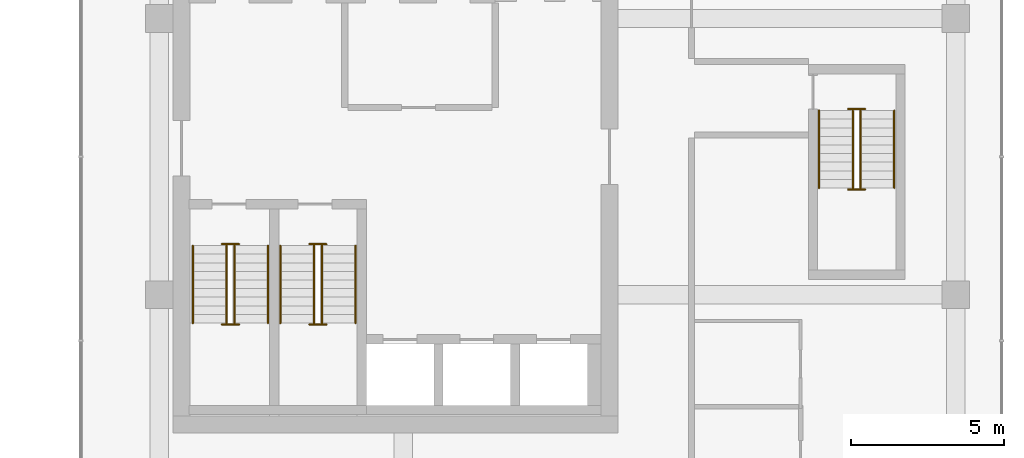
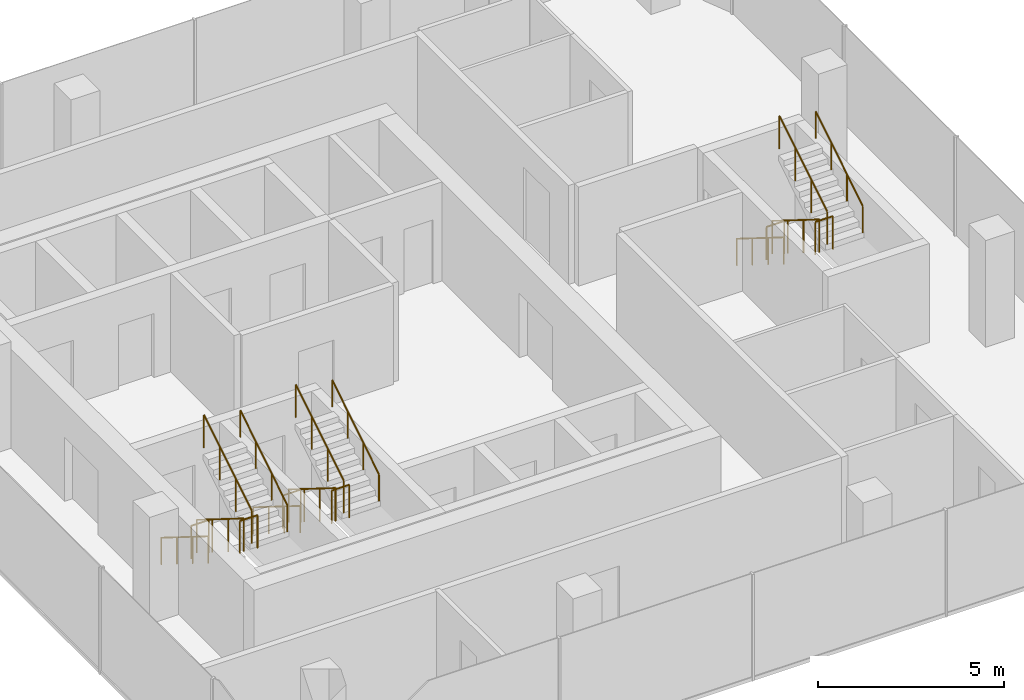
# One storey, part 23 of 23: 18 railings.
"""IFC4 building model written with IfcOpenShell, lengths in metres."""

from ifc_helpers import new_model, si_unit, direction, frame, origin, origin_2d, place, context, subcontext, project, spatial, circle, extrude, material, type_object, element, save


model = new_model("IFC4")

# Units and contexts
model_context = context("Model", 3, precision=1e-05, world=origin(), true_north=direction((0.0, 1.0)))
body_context = subcontext(model_context, "Body", "Model", "MODEL_VIEW")
ifc_project = project(units=[si_unit("LENGTHUNIT", "METRE"), si_unit("AREAUNIT", "SQUARE_METRE"), si_unit("VOLUMEUNIT", "CUBIC_METRE"), si_unit("PLANEANGLEUNIT", "RADIAN"), si_unit("MASSUNIT", "GRAM", prefix="KILO")], contexts=[model_context])

# Site, building, storey
site_placement = place(None, origin())
site = spatial("IfcSite", under=ifc_project, at=site_placement, CompositionType="ELEMENT")
building_placement = place(site_placement, origin())
building = spatial("IfcBuilding", under=site, at=building_placement, Name="Plateau Cross Towers", CompositionType="ELEMENT")
storey_placement = place(building_placement, frame((0.0, 0.0, 33.800048828125)))
storey = spatial("IfcBuildingStorey", under=building, at=storey_placement, Name="L07", CompositionType="ELEMENT", Elevation=33.800048828125)

# Railings
ifc_material_1 = material(Name="Stainless steel and toughened glass", Category="steel")
railing_type_1 = type_object("IfcRailingType", Name="RL-GUARD-1100", PredefinedType="GUARDRAIL", material=ifc_material_1)
railing_1_placement = place(storey_placement, frame((76.75, 6.10009765625, 0.175048828125)))
element("IfcRailing", 1, at=railing_1_placement, inside=storey, type_object=railing_type_1, Name="L07 SB-1 stair guard 1", PredefinedType="GUARDRAIL", context=body_context, shape_type="SweptSolid", body=[
    extrude(circle(Radius=0.02392578125, at=origin_2d()), frame((0.0, 0.0, 1.076171875), z_axis=(0.0, -0.848007534815, 0.529984170421), x_axis=(1.0, 0.0, 0.0)), (0.0, 0.0, 1.0), 2.9716796875),
    extrude(circle(Radius=0.02099609375, at=origin_2d()), origin(), (0.0, 0.0, 1.0), 1.052001953125),
    extrude(circle(Radius=0.02099609375, at=origin_2d()), frame((0.0, -0.840087890625, 0.52490234375)), (0.0, 0.0, 1.0), 1.052001953125),
    extrude(circle(Radius=0.02099609375, at=origin_2d()), frame((0.0, -1.679931640625, 1.050048828125)), (0.0, 0.0, 1.0), 1.052001953125),
    extrude(circle(Radius=0.02099609375, at=origin_2d()), frame((0.0, -2.52001953125, 1.574951171875)), (0.0, 0.0, 1.0), 1.052001953125),
])
railing_2_placement = place(storey_placement, frame((76.60009765625, 3.530029296875, 1.75)))
element("IfcRailing", 2, at=railing_2_placement, inside=storey, type_object=railing_type_1, Name="L07 SB-1 stair guard 2", PredefinedType="GUARDRAIL", context=body_context, shape_type="SweptSolid", body=[
    extrude(circle(Radius=0.02392578125, at=origin_2d()), frame((0.0, 0.0, 1.076171875), z_axis=(1.0, 0.0, 0.0), x_axis=(0.0, 1.0, 0.0)), (0.0, 0.0, 1.0), 0.5498046875),
    extrude(circle(Radius=0.02099609375, at=origin_2d()), origin(), (0.0, 0.0, 1.0), 1.052001953125),
    extrude(circle(Radius=0.02099609375, at=origin_2d()), frame((0.5498046875, 0.0, 0.0)), (0.0, 0.0, 1.0), 1.052001953125),
])
railing_3_placement = place(storey_placement, frame((77.0, 3.580078125, 1.925048828125)))
element("IfcRailing", 3, at=railing_3_placement, inside=storey, type_object=railing_type_1, Name="L07 SB-1 stair guard 3", PredefinedType="GUARDRAIL", context=body_context, shape_type="SweptSolid", body=[
    extrude(circle(Radius=0.02392578125, at=origin_2d()), frame((0.0, 0.0, 1.076171875), z_axis=(0.0, 0.852616386126, 0.522537365276), x_axis=(-1.0, 0.0, 0.0)), (0.0, 0.0, 1.0), 3.01416015625),
    extrude(circle(Radius=0.02099609375, at=origin_2d()), origin(), (0.0, 0.0, 1.0), 1.052001953125),
    extrude(circle(Radius=0.02099609375, at=origin_2d()), frame((0.0, 0.856689453125, 0.52490234375)), (0.0, 0.0, 1.0), 1.052001953125),
    extrude(circle(Radius=0.02099609375, at=origin_2d()), frame((0.0, 1.713134765625, 1.050048828125)), (0.0, 0.0, 1.0), 1.052001953125),
    extrude(circle(Radius=0.02099609375, at=origin_2d()), frame((0.0, 2.56982421875, 1.574951171875)), (0.0, 0.0, 1.0), 1.052001953125),
])
railing_4_placement = place(storey_placement, frame((76.60009765625, 6.14990234375, 0.0)))
element("IfcRailing", 4, at=railing_4_placement, inside=storey, type_object=railing_type_1, Name="L07 SB-1 stair guard 4", PredefinedType="GUARDRAIL", context=body_context, shape_type="SweptSolid", body=[
    extrude(circle(Radius=0.02392578125, at=origin_2d()), frame((0.0, 0.0, 1.076171875), z_axis=(1.0, 0.0, 0.0), x_axis=(0.0, 1.0, 0.0)), (0.0, 0.0, 1.0), 0.5498046875),
    extrude(circle(Radius=0.02099609375, at=origin_2d()), origin(), (0.0, 0.0, 1.0), 1.052001953125),
    extrude(circle(Radius=0.02099609375, at=origin_2d()), frame((0.5498046875, 0.0, 0.0)), (0.0, 0.0, 1.0), 1.052001953125),
])
railing_5_placement = place(storey_placement, frame((79.60009765625, 6.10009765625, 0.175048828125)))
element("IfcRailing", 5, at=railing_5_placement, inside=storey, type_object=railing_type_1, Name="L07 SB-2 stair guard 1", PredefinedType="GUARDRAIL", context=body_context, shape_type="SweptSolid", body=[
    extrude(circle(Radius=0.02392578125, at=origin_2d()), frame((0.0, 0.0, 1.076171875), z_axis=(0.0, -0.848007534815, 0.529984170421), x_axis=(1.0, 0.0, 0.0)), (0.0, 0.0, 1.0), 2.9716796875),
    extrude(circle(Radius=0.02099609375, at=origin_2d()), origin(), (0.0, 0.0, 1.0), 1.052001953125),
    extrude(circle(Radius=0.02099609375, at=origin_2d()), frame((0.0, -0.840087890625, 0.52490234375)), (0.0, 0.0, 1.0), 1.052001953125),
    extrude(circle(Radius=0.02099609375, at=origin_2d()), frame((0.0, -1.679931640625, 1.050048828125)), (0.0, 0.0, 1.0), 1.052001953125),
    extrude(circle(Radius=0.02099609375, at=origin_2d()), frame((0.0, -2.52001953125, 1.574951171875)), (0.0, 0.0, 1.0), 1.052001953125),
])
railing_6_placement = place(storey_placement, frame((79.449951171875, 3.530029296875, 1.75)))
element("IfcRailing", 6, at=railing_6_placement, inside=storey, type_object=railing_type_1, Name="L07 SB-2 stair guard 2", PredefinedType="GUARDRAIL", context=body_context, shape_type="SweptSolid", body=[
    extrude(circle(Radius=0.02392578125, at=origin_2d()), frame((0.0, 0.0, 1.076171875), z_axis=(1.0, 0.0, 0.0), x_axis=(0.0, 1.0, 0.0)), (0.0, 0.0, 1.0), 0.550048828125),
    extrude(circle(Radius=0.02099609375, at=origin_2d()), origin(), (0.0, 0.0, 1.0), 1.052001953125),
    extrude(circle(Radius=0.02099609375, at=origin_2d()), frame((0.550048828125, 0.0, 0.0)), (0.0, 0.0, 1.0), 1.052001953125),
])
railing_7_placement = place(storey_placement, frame((79.85009765625, 3.580078125, 1.925048828125)))
element("IfcRailing", 7, at=railing_7_placement, inside=storey, type_object=railing_type_1, Name="L07 SB-2 stair guard 3", PredefinedType="GUARDRAIL", context=body_context, shape_type="SweptSolid", body=[
    extrude(circle(Radius=0.02392578125, at=origin_2d()), frame((0.0, 0.0, 1.076171875), z_axis=(0.0, 0.852616386126, 0.522537365276), x_axis=(-1.0, 0.0, 0.0)), (0.0, 0.0, 1.0), 3.01416015625),
    extrude(circle(Radius=0.02099609375, at=origin_2d()), origin(), (0.0, 0.0, 1.0), 1.052001953125),
    extrude(circle(Radius=0.02099609375, at=origin_2d()), frame((0.0, 0.856689453125, 0.52490234375)), (0.0, 0.0, 1.0), 1.052001953125),
    extrude(circle(Radius=0.02099609375, at=origin_2d()), frame((0.0, 1.713134765625, 1.050048828125)), (0.0, 0.0, 1.0), 1.052001953125),
    extrude(circle(Radius=0.02099609375, at=origin_2d()), frame((0.0, 2.56982421875, 1.574951171875)), (0.0, 0.0, 1.0), 1.052001953125),
])
railing_8_placement = place(storey_placement, frame((79.449951171875, 6.14990234375, 0.0)))
element("IfcRailing", 8, at=railing_8_placement, inside=storey, type_object=railing_type_1, Name="L07 SB-2 stair guard 4", PredefinedType="GUARDRAIL", context=body_context, shape_type="SweptSolid", body=[
    extrude(circle(Radius=0.02392578125, at=origin_2d()), frame((0.0, 0.0, 1.076171875), z_axis=(1.0, 0.0, 0.0), x_axis=(0.0, 1.0, 0.0)), (0.0, 0.0, 1.0), 0.550048828125),
    extrude(circle(Radius=0.02099609375, at=origin_2d()), origin(), (0.0, 0.0, 1.0), 1.052001953125),
    extrude(circle(Radius=0.02099609375, at=origin_2d()), frame((0.550048828125, 0.0, 0.0)), (0.0, 0.0, 1.0), 1.052001953125),
])
railing_9_placement = place(storey_placement, frame((97.14990234375, 10.5, 0.175048828125)))
element("IfcRailing", 9, at=railing_9_placement, inside=storey, type_object=railing_type_1, Name="L07 SB-3 stair guard 1", PredefinedType="GUARDRAIL", context=body_context, shape_type="SweptSolid", body=[
    extrude(circle(Radius=0.02392578125, at=origin_2d()), frame((0.0, 0.0, 1.076171875), z_axis=(0.0, -0.848007534815, 0.529984170421), x_axis=(1.0, 0.0, 0.0)), (0.0, 0.0, 1.0), 2.9716796875),
    extrude(circle(Radius=0.02099609375, at=origin_2d()), origin(), (0.0, 0.0, 1.0), 1.052001953125),
    extrude(circle(Radius=0.02099609375, at=origin_2d()), frame((0.0, -0.840087890625, 0.52490234375)), (0.0, 0.0, 1.0), 1.052001953125),
    extrude(circle(Radius=0.02099609375, at=origin_2d()), frame((0.0, -1.679931640625, 1.050048828125)), (0.0, 0.0, 1.0), 1.052001953125),
    extrude(circle(Radius=0.02099609375, at=origin_2d()), frame((0.0, -2.52001953125, 1.574951171875)), (0.0, 0.0, 1.0), 1.052001953125),
])
railing_10_placement = place(storey_placement, frame((97.0, 7.929931640625, 1.75)))
element("IfcRailing", 10, at=railing_10_placement, inside=storey, type_object=railing_type_1, Name="L07 SB-3 stair guard 2", PredefinedType="GUARDRAIL", context=body_context, shape_type="SweptSolid", body=[
    extrude(circle(Radius=0.02392578125, at=origin_2d()), frame((0.0, 0.0, 1.076171875), z_axis=(1.0, 0.0, 0.0), x_axis=(0.0, 1.0, 0.0)), (0.0, 0.0, 1.0), 0.550048828125),
    extrude(circle(Radius=0.02099609375, at=origin_2d()), origin(), (0.0, 0.0, 1.0), 1.052001953125),
    extrude(circle(Radius=0.02099609375, at=origin_2d()), frame((0.550048828125, 0.0, 0.0)), (0.0, 0.0, 1.0), 1.052001953125),
])
railing_11_placement = place(storey_placement, frame((97.39990234375, 7.97998046875, 1.925048828125)))
element("IfcRailing", 11, at=railing_11_placement, inside=storey, type_object=railing_type_1, Name="L07 SB-3 stair guard 3", PredefinedType="GUARDRAIL", context=body_context, shape_type="SweptSolid", body=[
    extrude(circle(Radius=0.02392578125, at=origin_2d()), frame((0.0, 0.0, 1.076171875), z_axis=(0.0, 0.852638500773, 0.522501279423), x_axis=(-1.0, 0.0, 0.0)), (0.0, 0.0, 1.0), 3.01416015625),
    extrude(circle(Radius=0.02099609375, at=origin_2d()), origin(), (0.0, 0.0, 1.0), 1.052001953125),
    extrude(circle(Radius=0.02099609375, at=origin_2d()), frame((0.0, 0.856689453125, 0.52490234375)), (0.0, 0.0, 1.0), 1.052001953125),
    extrude(circle(Radius=0.02099609375, at=origin_2d()), frame((0.0, 1.71337890625, 1.050048828125)), (0.0, 0.0, 1.0), 1.052001953125),
    extrude(circle(Radius=0.02099609375, at=origin_2d()), frame((0.0, 2.570068359375, 1.574951171875)), (0.0, 0.0, 1.0), 1.052001953125),
])
railing_12_placement = place(storey_placement, frame((97.0, 10.550048828125, 0.0)))
element("IfcRailing", 12, at=railing_12_placement, inside=storey, type_object=railing_type_1, Name="L07 SB-3 stair guard 4", PredefinedType="GUARDRAIL", context=body_context, shape_type="SweptSolid", body=[
    extrude(circle(Radius=0.02392578125, at=origin_2d()), frame((0.0, 0.0, 1.076171875), z_axis=(1.0, 0.0, 0.0), x_axis=(0.0, 1.0, 0.0)), (0.0, 0.0, 1.0), 0.550048828125),
    extrude(circle(Radius=0.02099609375, at=origin_2d()), origin(), (0.0, 0.0, 1.0), 1.052001953125),
    extrude(circle(Radius=0.02099609375, at=origin_2d()), frame((0.550048828125, 0.0, 0.0)), (0.0, 0.0, 1.0), 1.052001953125),
])
ifc_material_2 = material(Name="Black anodised aluminium", Category="aluminium")
railing_type_2 = type_object("IfcRailingType", Name="RL-HANDRAIL-900", PredefinedType="HANDRAIL", material=ifc_material_2)
railing_13_placement = place(storey_placement, frame((75.64990234375, 6.10009765625, 0.175048828125)))
element("IfcRailing", 13, at=railing_13_placement, inside=storey, type_object=railing_type_2, Name="L07 SB-1 stair handrail 1", PredefinedType="HANDRAIL", context=body_context, shape_type="SweptSolid", body=[
    extrude(circle(Radius=0.02392578125, at=origin_2d()), frame((0.0, 0.0, 0.8759765625), z_axis=(0.0, -0.848007534815, 0.529984170421), x_axis=(1.0, 0.0, 0.0)), (0.0, 0.0, 1.0), 2.9716796875),
    extrude(circle(Radius=0.02099609375, at=origin_2d()), origin(), (0.0, 0.0, 1.0), 0.851806640625),
    extrude(circle(Radius=0.02099609375, at=origin_2d()), frame((0.0, -0.840087890625, 0.52490234375)), (0.0, 0.0, 1.0), 0.851806640625),
    extrude(circle(Radius=0.02099609375, at=origin_2d()), frame((0.0, -1.679931640625, 1.050048828125)), (0.0, 0.0, 1.0), 0.851806640625),
    extrude(circle(Radius=0.02099609375, at=origin_2d()), frame((0.0, -2.52001953125, 1.574951171875)), (0.0, 0.0, 1.0), 0.851806640625),
])
railing_14_placement = place(storey_placement, frame((78.10009765625, 3.580078125, 1.925048828125)))
element("IfcRailing", 14, at=railing_14_placement, inside=storey, type_object=railing_type_2, Name="L07 SB-1 stair handrail 2", PredefinedType="HANDRAIL", context=body_context, shape_type="SweptSolid", body=[
    extrude(circle(Radius=0.02392578125, at=origin_2d()), frame((0.0, 0.0, 0.8759765625), z_axis=(0.0, 0.848007534815, 0.529984170421), x_axis=(-1.0, 0.0, 0.0)), (0.0, 0.0, 1.0), 2.9716796875),
    extrude(circle(Radius=0.02099609375, at=origin_2d()), origin(), (0.0, 0.0, 1.0), 0.851806640625),
    extrude(circle(Radius=0.02099609375, at=origin_2d()), frame((0.0, 0.840087890625, 0.52490234375)), (0.0, 0.0, 1.0), 0.851806640625),
    extrude(circle(Radius=0.02099609375, at=origin_2d()), frame((0.0, 1.679931640625, 1.050048828125)), (0.0, 0.0, 1.0), 0.851806640625),
    extrude(circle(Radius=0.02099609375, at=origin_2d()), frame((0.0, 2.52001953125, 1.574951171875)), (0.0, 0.0, 1.0), 0.851806640625),
])
railing_15_placement = place(storey_placement, frame((78.5, 6.10009765625, 0.175048828125)))
element("IfcRailing", 15, at=railing_15_placement, inside=storey, type_object=railing_type_2, Name="L07 SB-2 stair handrail 1", PredefinedType="HANDRAIL", context=body_context, shape_type="SweptSolid", body=[
    extrude(circle(Radius=0.02392578125, at=origin_2d()), frame((0.0, 0.0, 0.8759765625), z_axis=(0.0, -0.848007534815, 0.529984170421), x_axis=(1.0, 0.0, 0.0)), (0.0, 0.0, 1.0), 2.9716796875),
    extrude(circle(Radius=0.02099609375, at=origin_2d()), origin(), (0.0, 0.0, 1.0), 0.851806640625),
    extrude(circle(Radius=0.02099609375, at=origin_2d()), frame((0.0, -0.840087890625, 0.52490234375)), (0.0, 0.0, 1.0), 0.851806640625),
    extrude(circle(Radius=0.02099609375, at=origin_2d()), frame((0.0, -1.679931640625, 1.050048828125)), (0.0, 0.0, 1.0), 0.851806640625),
    extrude(circle(Radius=0.02099609375, at=origin_2d()), frame((0.0, -2.52001953125, 1.574951171875)), (0.0, 0.0, 1.0), 0.851806640625),
])
railing_16_placement = place(storey_placement, frame((80.949951171875, 3.580078125, 1.925048828125)))
element("IfcRailing", 16, at=railing_16_placement, inside=storey, type_object=railing_type_2, Name="L07 SB-2 stair handrail 2", PredefinedType="HANDRAIL", context=body_context, shape_type="SweptSolid", body=[
    extrude(circle(Radius=0.02392578125, at=origin_2d()), frame((0.0, 0.0, 0.8759765625), z_axis=(0.0, 0.848007534815, 0.529984170421), x_axis=(-1.0, 0.0, 0.0)), (0.0, 0.0, 1.0), 2.9716796875),
    extrude(circle(Radius=0.02099609375, at=origin_2d()), origin(), (0.0, 0.0, 1.0), 0.851806640625),
    extrude(circle(Radius=0.02099609375, at=origin_2d()), frame((0.0, 0.840087890625, 0.52490234375)), (0.0, 0.0, 1.0), 0.851806640625),
    extrude(circle(Radius=0.02099609375, at=origin_2d()), frame((0.0, 1.679931640625, 1.050048828125)), (0.0, 0.0, 1.0), 0.851806640625),
    extrude(circle(Radius=0.02099609375, at=origin_2d()), frame((0.0, 2.52001953125, 1.574951171875)), (0.0, 0.0, 1.0), 0.851806640625),
])
railing_17_placement = place(storey_placement, frame((96.050048828125, 10.5, 0.175048828125)))
element("IfcRailing", 17, at=railing_17_placement, inside=storey, type_object=railing_type_2, Name="L07 SB-3 stair handrail 1", PredefinedType="HANDRAIL", context=body_context, shape_type="SweptSolid", body=[
    extrude(circle(Radius=0.02392578125, at=origin_2d()), frame((0.0, 0.0, 0.8759765625), z_axis=(0.0, -0.848007534815, 0.529984170421), x_axis=(1.0, 0.0, 0.0)), (0.0, 0.0, 1.0), 2.9716796875),
    extrude(circle(Radius=0.02099609375, at=origin_2d()), origin(), (0.0, 0.0, 1.0), 0.851806640625),
    extrude(circle(Radius=0.02099609375, at=origin_2d()), frame((0.0, -0.840087890625, 0.52490234375)), (0.0, 0.0, 1.0), 0.851806640625),
    extrude(circle(Radius=0.02099609375, at=origin_2d()), frame((0.0, -1.679931640625, 1.050048828125)), (0.0, 0.0, 1.0), 0.851806640625),
    extrude(circle(Radius=0.02099609375, at=origin_2d()), frame((0.0, -2.52001953125, 1.574951171875)), (0.0, 0.0, 1.0), 0.851806640625),
])
railing_18_placement = place(storey_placement, frame((98.5, 7.97998046875, 1.925048828125)))
element("IfcRailing", 18, at=railing_18_placement, inside=storey, type_object=railing_type_2, Name="L07 SB-3 stair handrail 2", PredefinedType="HANDRAIL", context=body_context, shape_type="SweptSolid", body=[
    extrude(circle(Radius=0.02392578125, at=origin_2d()), frame((0.0, 0.0, 0.8759765625), z_axis=(0.0, 0.848007534815, 0.529984170421), x_axis=(-1.0, 0.0, 0.0)), (0.0, 0.0, 1.0), 2.9716796875),
    extrude(circle(Radius=0.02099609375, at=origin_2d()), origin(), (0.0, 0.0, 1.0), 0.851806640625),
    extrude(circle(Radius=0.02099609375, at=origin_2d()), frame((0.0, 0.840087890625, 0.52490234375)), (0.0, 0.0, 1.0), 0.851806640625),
    extrude(circle(Radius=0.02099609375, at=origin_2d()), frame((0.0, 1.679931640625, 1.050048828125)), (0.0, 0.0, 1.0), 0.851806640625),
    extrude(circle(Radius=0.02099609375, at=origin_2d()), frame((0.0, 2.52001953125, 1.574951171875)), (0.0, 0.0, 1.0), 0.851806640625),
])

save(model, "model.ifc")
